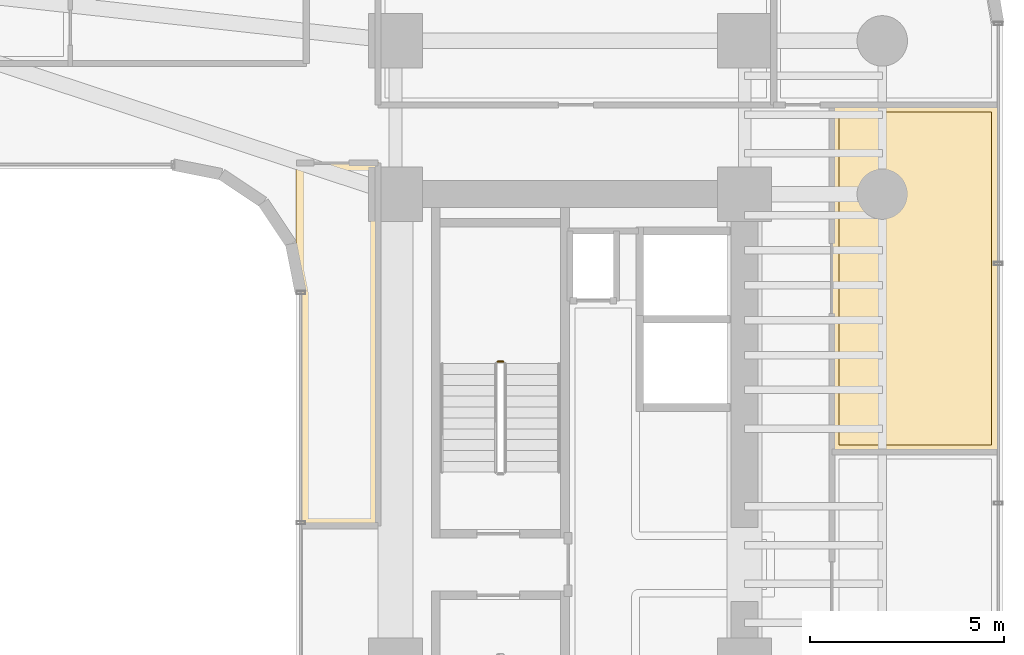
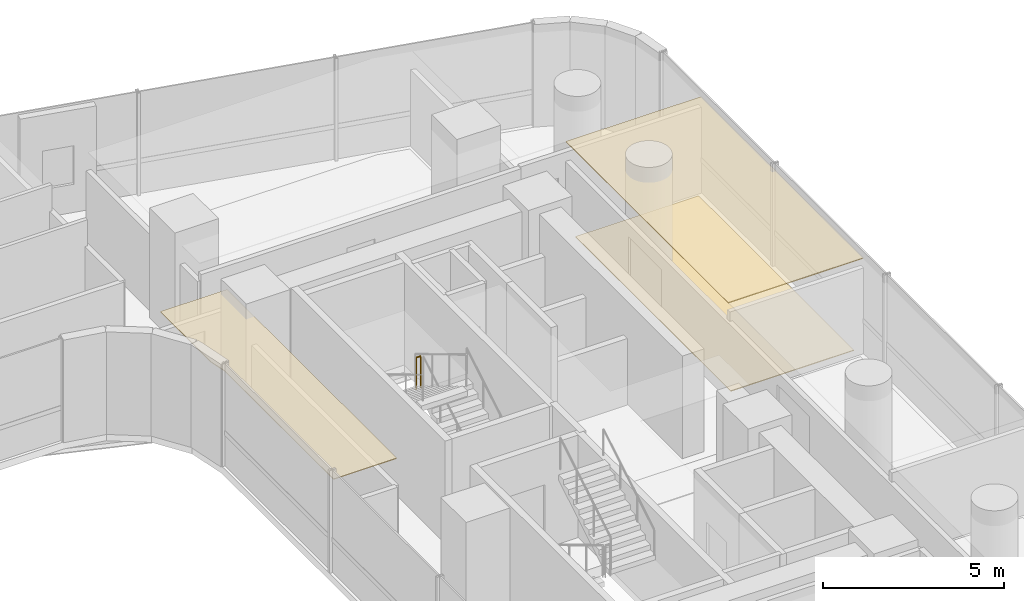
# One storey, part 40 of 42: 3 coverings, 1 railing.
"""IFC4 building model written with IfcOpenShell, lengths in metres."""

from ifc_helpers import new_model, si_unit, direction, frame, origin, origin_2d, place, context, subcontext, project, spatial, polyline, circle, outline, extrude, material, layer, layer_set, type_object, element, save


model = new_model("IFC4")

# Units and contexts
model_context = context("Model", 3, precision=1e-05, world=origin(), true_north=direction((0.0, 1.0)))
body_context = subcontext(model_context, "Body", "Model", "MODEL_VIEW")
ifc_project = project(units=[si_unit("LENGTHUNIT", "METRE"), si_unit("AREAUNIT", "SQUARE_METRE"), si_unit("VOLUMEUNIT", "CUBIC_METRE"), si_unit("PLANEANGLEUNIT", "RADIAN"), si_unit("MASSUNIT", "GRAM", prefix="KILO")], contexts=[model_context])

# Site, building, storey
site_placement = place(None, origin())
site = spatial("IfcSite", under=ifc_project, at=site_placement, CompositionType="ELEMENT")
building_placement = place(site_placement, origin())
building = spatial("IfcBuilding", under=site, at=building_placement, Name="Valdorenza Pilgrim Sanctuary Tower", CompositionType="ELEMENT")
storey_placement = place(building_placement, frame((0.0, 0.0, 55.60009765625)))
storey = spatial("IfcBuildingStorey", under=building, at=storey_placement, Name="L13", CompositionType="ELEMENT", Elevation=55.60009765625)

# Coverings
ifc_material_1 = material(Name="Micro-perforated acoustic mineral ceiling tile", Category="gypsum")
ifc_layer_1 = layer(ifc_material_1, 0.02490234375, Name="Micro-perforated acoustic mineral ceiling tile")
ifc_layer_set_1 = layer_set([ifc_layer_1], Name="Micro-perforated acoustic mineral ceiling tile")
covering_type_1 = type_object("IfcCoveringType", Name="COV-CLG-ACU", PredefinedType="CEILING", material=ifc_layer_set_1)
covering_1_placement = place(storey_placement, frame((0.0, 0.0, 3.159912109375)))
element("IfcCovering", 1, at=covering_1_placement, inside=storey, type_object=covering_type_1, Name="L13 East Reading Lounge L13-EB3 Acoustic Ceiling", PredefinedType="CEILING", context=body_context, shape_type="SweptSolid", body=[
    extrude(outline(polyline([(27.0849609375, 11.847900390625), (27.085205078125, 11.849609375), (27.085205078125, 11.850830078125), (27.085693359375, 11.852294921875), (27.086181640625, 11.853759765625), (27.0869140625, 11.85498046875), (27.08740234375, 11.856201171875), (27.08837890625, 11.857421875), (27.08935546875, 11.858642578125), (27.090576171875, 11.859619140625), (27.091796875, 11.860595703125), (27.093017578125, 11.861083984375), (27.09423828125, 11.86181640625), (27.095703125, 11.8623046875), (27.09716796875, 11.86279296875), (27.098388671875, 11.86279296875), (27.10009765625, 11.863037109375), (31.389892578125, 11.863037109375), (31.3916015625, 11.86279296875), (31.392822265625, 11.86279296875), (31.394287109375, 11.8623046875), (31.395751953125, 11.86181640625), (31.397216796875, 11.861083984375), (31.398193359375, 11.860595703125), (31.3994140625, 11.859619140625), (31.400634765625, 11.858642578125), (31.401611328125, 11.857421875), (31.402587890625, 11.856201171875), (31.4033203125, 11.85498046875), (31.40380859375, 11.853759765625), (31.404296875, 11.852294921875), (31.40478515625, 11.850830078125), (31.40478515625, 11.849609375), (31.405029296875, 11.847900390625), (31.405029296875, 2.902099609375), (31.40478515625, 2.900390625), (31.40478515625, 2.899169921875), (31.404296875, 2.897705078125), (31.40380859375, 2.896240234375), (31.4033203125, 2.89501953125), (31.402587890625, 2.893798828125), (31.401611328125, 2.892578125), (31.400634765625, 2.891357421875), (31.3994140625, 2.890380859375), (31.398193359375, 2.889404296875), (31.397216796875, 2.888916015625), (31.395751953125, 2.88818359375), (31.394287109375, 2.8876953125), (31.392822265625, 2.88720703125), (31.3916015625, 2.88720703125), (31.389892578125, 2.886962890625), (27.10009765625, 2.886962890625), (27.098388671875, 2.88720703125), (27.09716796875, 2.88720703125), (27.095703125, 2.8876953125), (27.09423828125, 2.88818359375), (27.093017578125, 2.888916015625), (27.091796875, 2.889404296875), (27.090576171875, 2.890380859375), (27.08935546875, 2.891357421875), (27.08837890625, 2.892578125), (27.08740234375, 2.893798828125), (27.0869140625, 2.89501953125), (27.086181640625, 2.896240234375), (27.085693359375, 2.897705078125), (27.085205078125, 2.899169921875), (27.085205078125, 2.900390625), (27.0849609375, 2.902099609375), (27.0849609375, 11.847900390625)])), origin(), (0.0, 0.0, 1.0), 0.02490234375),
])
covering_2_placement = place(storey_placement, frame((0.0, 0.0, 3.159912109375)))
element("IfcCovering", 2, at=covering_2_placement, inside=storey, type_object=covering_type_1, Name="L13 Courtyard Overlook Salon L13 Acoustic Ceiling", PredefinedType="CEILING", context=body_context, shape_type="SweptSolid", body=[
    extrude(outline(polyline([(15.39990234375, 10.364990234375), (15.401611328125, 10.364990234375), (15.40283203125, 10.36474609375), (15.404296875, 10.364501953125), (15.40576171875, 10.364013671875), (15.406982421875, 10.36328125), (15.408203125, 10.362548828125), (15.409423828125, 10.361572265625), (15.41064453125, 10.360595703125), (15.41162109375, 10.359619140625), (15.41259765625, 10.3583984375), (15.4130859375, 10.357177734375), (15.413818359375, 10.355712890625), (15.414306640625, 10.3544921875), (15.414794921875, 10.352783203125), (15.414794921875, 10.3515625), (15.4150390625, 10.35009765625), (15.4150390625, 1.0), (15.414794921875, 0.99853515625), (15.414794921875, 0.9970703125), (15.414306640625, 0.99560546875), (15.413818359375, 0.994384765625), (15.4130859375, 0.992919921875), (15.41259765625, 0.99169921875), (15.41162109375, 0.990478515625), (15.41064453125, 0.989501953125), (15.409423828125, 0.98828125), (15.408203125, 0.987548828125), (15.406982421875, 0.98681640625), (15.40576171875, 0.986083984375), (15.404296875, 0.985595703125), (15.40283203125, 0.9853515625), (15.401611328125, 0.985107421875), (15.39990234375, 0.985107421875), (13.409912109375, 0.985107421875), (13.408447265625, 0.985107421875), (13.406982421875, 0.9853515625), (13.405517578125, 0.985595703125), (13.404296875, 0.986083984375), (13.40283203125, 0.98681640625), (13.401611328125, 0.987548828125), (13.400390625, 0.98828125), (13.3994140625, 0.989501953125), (13.3984375, 0.990478515625), (13.3974609375, 0.99169921875), (13.396728515625, 0.992919921875), (13.39599609375, 0.994384765625), (13.3955078125, 0.99560546875), (13.395263671875, 0.9970703125), (13.39501953125, 0.99853515625), (13.39501953125, 1.0), (13.39501953125, 6.99951171875), (13.39453125, 7.00927734375), (13.39306640625, 7.018798828125), (13.285400390625, 7.560791015625), (13.28515625, 7.562255859375), (13.284912109375, 7.563720703125), (13.284912109375, 10.35009765625), (13.28515625, 10.3515625), (13.285400390625, 10.352783203125), (13.28564453125, 10.3544921875), (13.2861328125, 10.355712890625), (13.286865234375, 10.357177734375), (13.28759765625, 10.3583984375), (13.288330078125, 10.359619140625), (13.289306640625, 10.360595703125), (13.29052734375, 10.361572265625), (13.291748046875, 10.362548828125), (13.29296875, 10.36328125), (13.294189453125, 10.364013671875), (13.295654296875, 10.364501953125), (13.297119140625, 10.36474609375), (13.298583984375, 10.364990234375), (13.300048828125, 10.364990234375), (15.39990234375, 10.364990234375)])), origin(), (0.0, 0.0, 1.0), 0.02490234375),
])
ifc_material_2 = material(Name="Honed travertine stone flooring", Category="masonry")
ifc_layer_2 = layer(ifc_material_2, 0.030029296875, Name="Honed travertine stone flooring")
ifc_layer_set_2 = layer_set([ifc_layer_2], Name="Honed travertine stone flooring")
covering_type_2 = type_object("IfcCoveringType", Name="COV-FLR-TRV", PredefinedType="FLOORING", material=ifc_layer_set_2)
covering_3_placement = place(storey_placement, origin())
element("IfcCovering", 3, at=covering_3_placement, inside=storey, type_object=covering_type_2, Name="L13 East Reading Lounge L13-EB3 Flooring", PredefinedType="FLOORING", context=body_context, shape_type="SweptSolid", body=[
    extrude(outline(polyline([(27.280029296875, 11.66796875), (31.2099609375, 11.66796875), (31.2099609375, 3.08203125), (27.280029296875, 3.08203125), (27.280029296875, 11.66796875)])), origin(), (0.0, 0.0, 1.0), 0.02490234375),
])

# Railing
ifc_material_3 = material(Name="Stainless steel Grade 316", Category="steel")
railing_type = type_object("IfcRailingType", Name="RLG-GRD-1120", PredefinedType="GUARDRAIL", material=ifc_material_3)
railing_placement = place(storey_placement, frame((18.6298828125, 5.22998046875, 1.849853515625)))
element("IfcRailing", 4, at=railing_placement, inside=storey, type_object=railing_type, Name="L13 ST-B1 stair guard 2", PredefinedType="GUARDRAIL", context=body_context, shape_type="SweptSolid", body=[
    extrude(circle(Radius=0.02392578125, at=origin_2d()), frame((0.0, 0.0, 1.076171875), z_axis=(-1.0, 0.0, 0.0), x_axis=(0.0, -1.0, 0.0)), (0.0, 0.0, 1.0), 0.14990234375),
    extrude(circle(Radius=0.02099609375, at=origin_2d()), origin(), (0.0, 0.0, 1.0), 1.052001953125),
    extrude(circle(Radius=0.02099609375, at=origin_2d()), frame((-0.14990234375, 0.0, 0.0)), (0.0, 0.0, 1.0), 1.052001953125),
])

save(model, "model.ifc")
